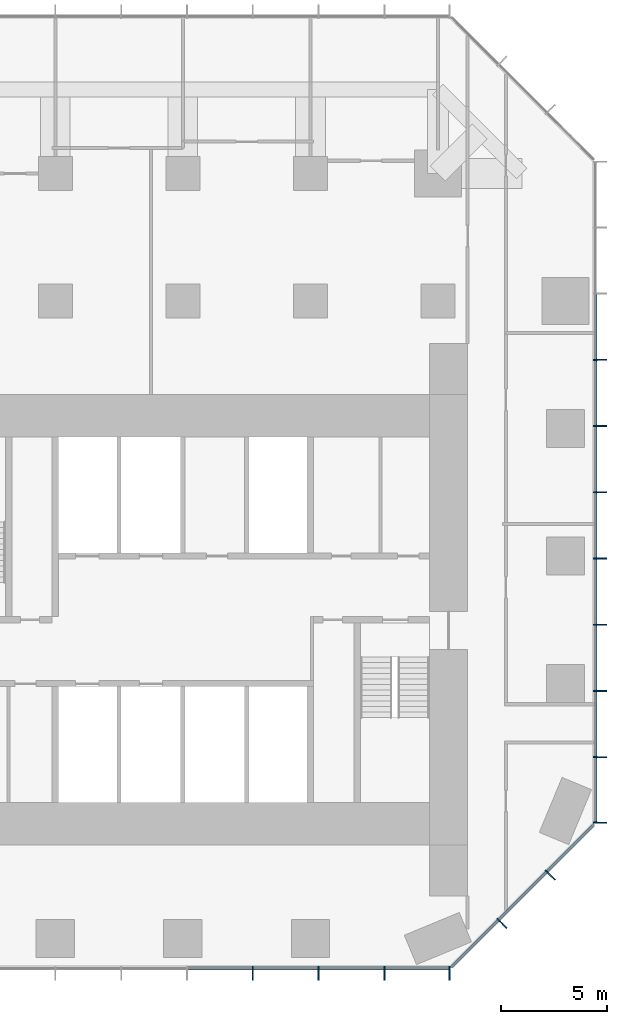
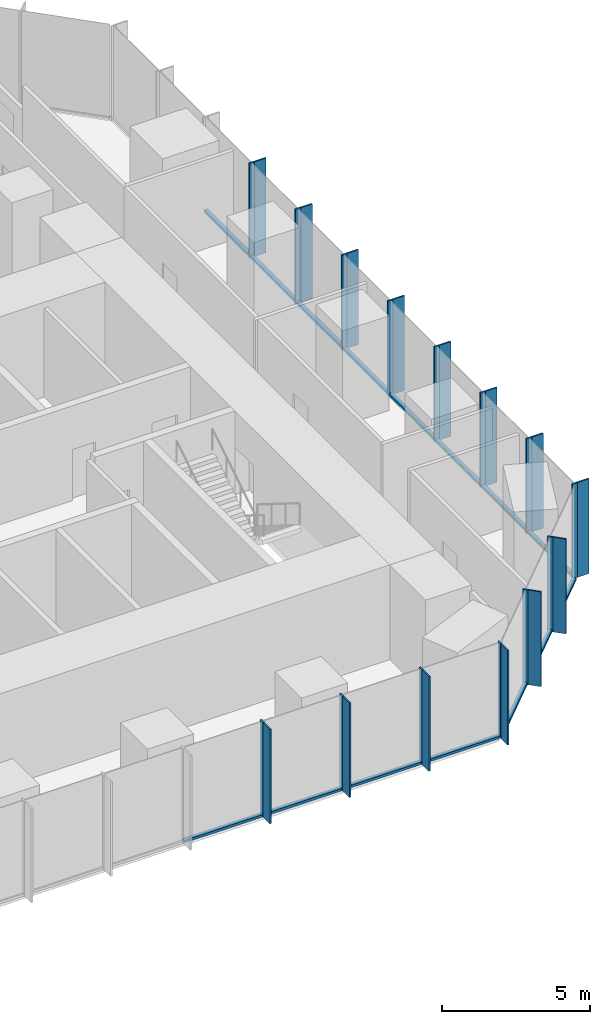
# One storey, part 4 of 12: 43 members, 3 elements without a shape of their own.
"""IFC4 building model written with IfcOpenShell, lengths in metres."""

from ifc_helpers import new_model, si_unit, direction, frame, origin, origin_2d, place, context, subcontext, project, spatial, rectangle, extrude, material, layer, layer_set, material_profile, profile_set, type_object, element, aggregate, save


model = new_model("IFC4")

# Units and contexts
model_context = context("Model", 3, precision=1e-05, world=origin(), true_north=direction((0.0, 1.0)))
body_context = subcontext(model_context, "Body", "Model", "MODEL_VIEW")
ifc_project = project(units=[si_unit("LENGTHUNIT", "METRE"), si_unit("AREAUNIT", "SQUARE_METRE"), si_unit("VOLUMEUNIT", "CUBIC_METRE"), si_unit("PLANEANGLEUNIT", "RADIAN"), si_unit("MASSUNIT", "GRAM", prefix="KILO")], contexts=[model_context])

# Site, building, storey
site_placement = place(None, origin())
site = spatial("IfcSite", under=ifc_project, at=site_placement, CompositionType="ELEMENT")
building_placement = place(site_placement, origin())
building = spatial("IfcBuilding", under=site, at=building_placement, Name="Highveld Stack Headquarters", CompositionType="ELEMENT")
storey_placement = place(building_placement, frame((0.0, 0.0, 101.60009765625)))
storey = spatial("IfcBuildingStorey", under=building, at=storey_placement, Name="L24", CompositionType="ELEMENT", Elevation=101.60009765625)

# Curtain wall, members
ifc_material_1 = material(Name="Aluminium bronze anodised", Category="aluminium")
ifc_layer_1 = layer(ifc_material_1, 0.199951171875)
ifc_layer_set_1 = layer_set([ifc_layer_1], Name="Aluminium bronze anodised")
curtain_wall_type_1 = type_object("IfcCurtainWallType", Name="CW1 TOWER UNITISED CURTAIN WALL", PredefinedType="NOTDEFINED", material=ifc_layer_set_1)
curtain_wall_1_placement = place(storey_placement, origin())
curtain_wall_1 = element("IfcCurtainWall", 1, at=curtain_wall_1_placement, inside=storey, type_object=curtain_wall_type_1, Name="Curtain wall CW1 L24 S", PredefinedType="NOTDEFINED")
ifc_material_2 = material(Name="Aluminium bronze anodised", Category="aluminium")
ifc_material_profile_1 = material_profile(ifc_material_2, rectangle(XDim=0.449951171875, YDim=0.06005859375, at=origin_2d()), Name="FIN 450x60")
ifc_profile_set_1 = profile_set([ifc_material_profile_1], Name="Aluminium bronze anodised")
member_type_1 = type_object("IfcMemberType", Name="CW1 BRONZE FIN 450x60", PredefinedType="USERDEFINED", material=ifc_profile_set_1)
member_1_placement = place(storey_placement, frame((9.2900390625, -13.72509765625, 0.0), z_axis=(0.0, 0.0, 1.0), x_axis=(0.0, 1.0, 0.0)))
member_1 = element("IfcMember", 2, at=member_1_placement, type_object=member_type_1, Name="CW1 fin L24 10", ObjectType="FIN", PredefinedType="USERDEFINED", context=body_context, shape_type="SweptSolid", body=[
    extrude(rectangle(XDim=0.449951171875, YDim=0.06005859375, at=origin_2d()), origin(), (0.0, 0.0, 1.0), 3.89990234375),
])
member_2_placement = place(storey_placement, frame((12.38671875, -13.72509765625, 0.0), z_axis=(0.0, 0.0, 1.0), x_axis=(0.0, 1.0, 0.0)))
member_2 = element("IfcMember", 3, at=member_2_placement, type_object=member_type_1, Name="CW1 fin L24 11", ObjectType="FIN", PredefinedType="USERDEFINED", context=body_context, shape_type="SweptSolid", body=[
    extrude(rectangle(XDim=0.449951171875, YDim=0.06005859375, at=origin_2d()), origin(), (0.0, 0.0, 1.0), 3.89990234375),
])
member_3_placement = place(storey_placement, frame((15.4833984375, -13.72509765625, 0.0), z_axis=(0.0, 0.0, 1.0), x_axis=(0.0, 1.0, 0.0)))
member_3 = element("IfcMember", 4, at=member_3_placement, type_object=member_type_1, Name="CW1 fin L24 12", ObjectType="FIN", PredefinedType="USERDEFINED", context=body_context, shape_type="SweptSolid", body=[
    extrude(rectangle(XDim=0.449951171875, YDim=0.06005859375, at=origin_2d()), origin(), (0.0, 0.0, 1.0), 3.89990234375),
])
member_4_placement = place(storey_placement, frame((18.54736328125, -13.72509765625, 0.0), z_axis=(0.0, 0.0, 1.0), x_axis=(0.0, 1.0, 0.0)))
member_4 = element("IfcMember", 5, at=member_4_placement, type_object=member_type_1, Name="CW1 fin L24 13", ObjectType="FIN", PredefinedType="USERDEFINED", context=body_context, shape_type="SweptSolid", body=[
    extrude(rectangle(XDim=0.449951171875, YDim=0.06005859375, at=origin_2d()), origin(), (0.0, 0.0, 1.0), 3.89990234375),
])

curtain_wall_2_placement = place(storey_placement, origin())
curtain_wall_2 = element("IfcCurtainWall", 6, at=curtain_wall_2_placement, inside=storey, type_object=curtain_wall_type_1, Name="Curtain wall CW1 L24 E", PredefinedType="NOTDEFINED")
member_5_placement = place(storey_placement, frame((25.72509765625, -6.54736328125, 0.0), z_axis=(0.0, 0.0, 1.0), x_axis=(-1.0, 0.0, 0.0)))
member_5 = element("IfcMember", 7, at=member_5_placement, type_object=member_type_1, Name="CW1 fin L24 1", ObjectType="FIN", PredefinedType="USERDEFINED", context=body_context, shape_type="SweptSolid", body=[
    extrude(rectangle(XDim=0.449951171875, YDim=0.06005859375, at=origin_2d()), origin(), (0.0, 0.0, 1.0), 3.89990234375),
])
member_6_placement = place(storey_placement, frame((25.72509765625, -3.4638671875, 0.0), z_axis=(0.0, 0.0, 1.0), x_axis=(-1.0, 0.0, 0.0)))
member_6 = element("IfcMember", 8, at=member_6_placement, type_object=member_type_1, Name="CW1 fin L24 2", ObjectType="FIN", PredefinedType="USERDEFINED", context=body_context, shape_type="SweptSolid", body=[
    extrude(rectangle(XDim=0.449951171875, YDim=0.06005859375, at=origin_2d()), origin(), (0.0, 0.0, 1.0), 3.89990234375),
])
member_7_placement = place(storey_placement, frame((25.72509765625, -0.347900390625, 0.0), z_axis=(0.0, 0.0, 1.0), x_axis=(-1.0, 0.0, 0.0)))
member_7 = element("IfcMember", 9, at=member_7_placement, type_object=member_type_1, Name="CW1 fin L24 3", ObjectType="FIN", PredefinedType="USERDEFINED", context=body_context, shape_type="SweptSolid", body=[
    extrude(rectangle(XDim=0.449951171875, YDim=0.06005859375, at=origin_2d()), origin(), (0.0, 0.0, 1.0), 3.89990234375),
])
member_8_placement = place(storey_placement, frame((25.72509765625, 2.76806640625, 0.0), z_axis=(0.0, 0.0, 1.0), x_axis=(-1.0, 0.0, 0.0)))
member_8 = element("IfcMember", 10, at=member_8_placement, type_object=member_type_1, Name="CW1 fin L24 4", ObjectType="FIN", PredefinedType="USERDEFINED", context=body_context, shape_type="SweptSolid", body=[
    extrude(rectangle(XDim=0.449951171875, YDim=0.06005859375, at=origin_2d()), origin(), (0.0, 0.0, 1.0), 3.89990234375),
])
member_9_placement = place(storey_placement, frame((25.72509765625, 5.884033203125, 0.0), z_axis=(0.0, 0.0, 1.0), x_axis=(-1.0, 0.0, 0.0)))
member_9 = element("IfcMember", 11, at=member_9_placement, type_object=member_type_1, Name="CW1 fin L24 5", ObjectType="FIN", PredefinedType="USERDEFINED", context=body_context, shape_type="SweptSolid", body=[
    extrude(rectangle(XDim=0.449951171875, YDim=0.06005859375, at=origin_2d()), origin(), (0.0, 0.0, 1.0), 3.89990234375),
])
member_10_placement = place(storey_placement, frame((25.72509765625, 9.0, 0.0), z_axis=(0.0, 0.0, 1.0), x_axis=(-1.0, 0.0, 0.0)))
member_10 = element("IfcMember", 12, at=member_10_placement, type_object=member_type_1, Name="CW1 fin L24 6", ObjectType="FIN", PredefinedType="USERDEFINED", context=body_context, shape_type="SweptSolid", body=[
    extrude(rectangle(XDim=0.449951171875, YDim=0.06005859375, at=origin_2d()), origin(), (0.0, 0.0, 1.0), 3.89990234375),
])
member_11_placement = place(storey_placement, frame((25.72509765625, 12.115966796875, 0.0), z_axis=(0.0, 0.0, 1.0), x_axis=(-1.0, 0.0, 0.0)))
member_11 = element("IfcMember", 13, at=member_11_placement, type_object=member_type_1, Name="CW1 fin L24 7", ObjectType="FIN", PredefinedType="USERDEFINED", context=body_context, shape_type="SweptSolid", body=[
    extrude(rectangle(XDim=0.449951171875, YDim=0.06005859375, at=origin_2d()), origin(), (0.0, 0.0, 1.0), 3.89990234375),
])
member_12_placement = place(storey_placement, frame((25.72509765625, 15.23193359375, 0.0), z_axis=(0.0, 0.0, 1.0), x_axis=(-1.0, 0.0, 0.0)))
member_12 = element("IfcMember", 14, at=member_12_placement, type_object=member_type_1, Name="CW1 fin L24 8", ObjectType="FIN", PredefinedType="USERDEFINED", context=body_context, shape_type="SweptSolid", body=[
    extrude(rectangle(XDim=0.449951171875, YDim=0.06005859375, at=origin_2d()), origin(), (0.0, 0.0, 1.0), 3.89990234375),
])

# Member
ifc_material_3 = material(Name="Aluminium bronze anodised", Category="aluminium")
ifc_material_profile_2 = material_profile(ifc_material_3, rectangle(XDim=0.199951171875, YDim=0.06494140625, at=origin_2d()), Name="CW1 MULLION 65x200")
ifc_profile_set_2 = profile_set([ifc_material_profile_2], Name="Aluminium bronze anodised")
member_type_2 = type_object("IfcMemberType", Name="CW1 MULLION 65x200", PredefinedType="MULLION", material=ifc_profile_set_2)
member_13_placement = place(storey_placement, frame((9.2900390625, -13.39990234375, 0.0), z_axis=(0.0, 0.0, 1.0), x_axis=(0.0, 1.0, 0.0)))
member_13 = element("IfcMember", 15, at=member_13_placement, type_object=member_type_2, Name="CW1 mullion L24 10", PredefinedType="MULLION", context=body_context, shape_type="SweptSolid", body=[
    extrude(rectangle(XDim=0.199951171875, YDim=0.06494140625, at=origin_2d()), origin(), (0.0, 0.0, 1.0), 3.89990234375),
])

member_14_placement = place(storey_placement, frame((12.38671875, -13.39990234375, 0.0), z_axis=(0.0, 0.0, 1.0), x_axis=(0.0, 1.0, 0.0)))
member_14 = element("IfcMember", 16, at=member_14_placement, type_object=member_type_2, Name="CW1 mullion L24 11", PredefinedType="MULLION", context=body_context, shape_type="SweptSolid", body=[
    extrude(rectangle(XDim=0.199951171875, YDim=0.06494140625, at=origin_2d()), origin(), (0.0, 0.0, 1.0), 3.89990234375),
])

member_15_placement = place(storey_placement, frame((15.4833984375, -13.39990234375, 0.0), z_axis=(0.0, 0.0, 1.0), x_axis=(0.0, 1.0, 0.0)))
member_15 = element("IfcMember", 17, at=member_15_placement, type_object=member_type_2, Name="CW1 mullion L24 12", PredefinedType="MULLION", context=body_context, shape_type="SweptSolid", body=[
    extrude(rectangle(XDim=0.199951171875, YDim=0.06494140625, at=origin_2d()), origin(), (0.0, 0.0, 1.0), 3.89990234375),
])

member_16_placement = place(storey_placement, frame((18.54736328125, -13.39990234375, 0.0), z_axis=(0.0, 0.0, 1.0), x_axis=(0.0, 1.0, 0.0)))
member_16 = element("IfcMember", 18, at=member_16_placement, type_object=member_type_2, Name="CW1 mullion L24 13", PredefinedType="MULLION", context=body_context, shape_type="SweptSolid", body=[
    extrude(rectangle(XDim=0.199951171875, YDim=0.06494140625, at=origin_2d()), origin(), (0.0, 0.0, 1.0), 3.89990234375),
])

member_17_placement = place(storey_placement, frame((25.39990234375, -6.54736328125, 0.0), z_axis=(0.0, 0.0, 1.0), x_axis=(-1.0, 0.0, 0.0)))
member_17 = element("IfcMember", 19, at=member_17_placement, type_object=member_type_2, Name="CW1 mullion L24 1", PredefinedType="MULLION", context=body_context, shape_type="SweptSolid", body=[
    extrude(rectangle(XDim=0.199951171875, YDim=0.06494140625, at=origin_2d()), origin(), (0.0, 0.0, 1.0), 3.89990234375),
])

member_18_placement = place(storey_placement, frame((25.39990234375, -3.4638671875, 0.0), z_axis=(0.0, 0.0, 1.0), x_axis=(-1.0, 0.0, 0.0)))
member_18 = element("IfcMember", 20, at=member_18_placement, type_object=member_type_2, Name="CW1 mullion L24 2", PredefinedType="MULLION", context=body_context, shape_type="SweptSolid", body=[
    extrude(rectangle(XDim=0.199951171875, YDim=0.06494140625, at=origin_2d()), origin(), (0.0, 0.0, 1.0), 3.89990234375),
])

member_19_placement = place(storey_placement, frame((25.39990234375, -0.347900390625, 0.0), z_axis=(0.0, 0.0, 1.0), x_axis=(-1.0, 0.0, 0.0)))
member_19 = element("IfcMember", 21, at=member_19_placement, type_object=member_type_2, Name="CW1 mullion L24 3", PredefinedType="MULLION", context=body_context, shape_type="SweptSolid", body=[
    extrude(rectangle(XDim=0.199951171875, YDim=0.06494140625, at=origin_2d()), origin(), (0.0, 0.0, 1.0), 3.89990234375),
])

member_20_placement = place(storey_placement, frame((25.39990234375, 2.76806640625, 0.0), z_axis=(0.0, 0.0, 1.0), x_axis=(-1.0, 0.0, 0.0)))
member_20 = element("IfcMember", 22, at=member_20_placement, type_object=member_type_2, Name="CW1 mullion L24 4", PredefinedType="MULLION", context=body_context, shape_type="SweptSolid", body=[
    extrude(rectangle(XDim=0.199951171875, YDim=0.06494140625, at=origin_2d()), origin(), (0.0, 0.0, 1.0), 3.89990234375),
])

member_21_placement = place(storey_placement, frame((25.39990234375, 5.884033203125, 0.0), z_axis=(0.0, 0.0, 1.0), x_axis=(-1.0, 0.0, 0.0)))
member_21 = element("IfcMember", 23, at=member_21_placement, type_object=member_type_2, Name="CW1 mullion L24 5", PredefinedType="MULLION", context=body_context, shape_type="SweptSolid", body=[
    extrude(rectangle(XDim=0.199951171875, YDim=0.06494140625, at=origin_2d()), origin(), (0.0, 0.0, 1.0), 3.89990234375),
])

member_22_placement = place(storey_placement, frame((25.39990234375, 9.0, 0.0), z_axis=(0.0, 0.0, 1.0), x_axis=(-1.0, 0.0, 0.0)))
member_22 = element("IfcMember", 24, at=member_22_placement, type_object=member_type_2, Name="CW1 mullion L24 6", PredefinedType="MULLION", context=body_context, shape_type="SweptSolid", body=[
    extrude(rectangle(XDim=0.199951171875, YDim=0.06494140625, at=origin_2d()), origin(), (0.0, 0.0, 1.0), 3.89990234375),
])

member_23_placement = place(storey_placement, frame((25.39990234375, 12.115966796875, 0.0), z_axis=(0.0, 0.0, 1.0), x_axis=(-1.0, 0.0, 0.0)))
member_23 = element("IfcMember", 25, at=member_23_placement, type_object=member_type_2, Name="CW1 mullion L24 7", PredefinedType="MULLION", context=body_context, shape_type="SweptSolid", body=[
    extrude(rectangle(XDim=0.199951171875, YDim=0.06494140625, at=origin_2d()), origin(), (0.0, 0.0, 1.0), 3.89990234375),
])

member_24_placement = place(storey_placement, frame((25.39990234375, 15.23193359375, 0.0), z_axis=(0.0, 0.0, 1.0), x_axis=(-1.0, 0.0, 0.0)))
member_24 = element("IfcMember", 26, at=member_24_placement, type_object=member_type_2, Name="CW1 mullion L24 8", PredefinedType="MULLION", context=body_context, shape_type="SweptSolid", body=[
    extrude(rectangle(XDim=0.199951171875, YDim=0.06494140625, at=origin_2d()), origin(), (0.0, 0.0, 1.0), 3.89990234375),
])

ifc_material_4 = material(Name="Aluminium bronze anodised", Category="aluminium")
ifc_material_profile_3 = material_profile(ifc_material_4, rectangle(XDim=0.14990234375, YDim=0.10009765625, at=origin_2d()), Name="CW1 TRANSOM 150x100")
ifc_profile_set_3 = profile_set([ifc_material_profile_3], Name="Aluminium bronze anodised")
member_type_3 = type_object("IfcMemberType", Name="CW1 STACK TRANSOM 150x100", PredefinedType="USERDEFINED", material=ifc_profile_set_3)
member_25_placement = place(storey_placement, frame((6.225830078125, -13.39990234375, 0.0498046875), z_axis=(1.0, 0.0, 0.0), x_axis=(0.0, 1.0, 0.0)))
member_25 = element("IfcMember", 27, at=member_25_placement, type_object=member_type_3, Name="CW1 transom L24 9.1", ObjectType="TRANSOM", PredefinedType="USERDEFINED", context=body_context, shape_type="SweptSolid", body=[
    extrude(rectangle(XDim=0.14990234375, YDim=0.10009765625, at=origin_2d()), origin(), (0.0, 0.0, 1.0), 3.03173828125),
])

member_26_placement = place(storey_placement, frame((9.322509765625, -13.39990234375, 0.0498046875), z_axis=(1.0, 0.0, 0.0), x_axis=(0.0, 1.0, 0.0)))
member_26 = element("IfcMember", 28, at=member_26_placement, type_object=member_type_3, Name="CW1 transom L24 10.1", ObjectType="TRANSOM", PredefinedType="USERDEFINED", context=body_context, shape_type="SweptSolid", body=[
    extrude(rectangle(XDim=0.14990234375, YDim=0.10009765625, at=origin_2d()), origin(), (0.0, 0.0, 1.0), 3.031494140625),
])

member_27_placement = place(storey_placement, frame((12.419189453125, -13.39990234375, 0.0498046875), z_axis=(1.0, 0.0, 0.0), x_axis=(0.0, 1.0, 0.0)))
member_27 = element("IfcMember", 29, at=member_27_placement, type_object=member_type_3, Name="CW1 transom L24 11.1", ObjectType="TRANSOM", PredefinedType="USERDEFINED", context=body_context, shape_type="SweptSolid", body=[
    extrude(rectangle(XDim=0.14990234375, YDim=0.10009765625, at=origin_2d()), origin(), (0.0, 0.0, 1.0), 3.031494140625),
])

member_28_placement = place(storey_placement, frame((15.515869140625, -13.39990234375, 0.0498046875), z_axis=(1.0, 0.0, 0.0), x_axis=(0.0, 1.0, 0.0)))
member_28 = element("IfcMember", 30, at=member_28_placement, type_object=member_type_3, Name="CW1 transom L24 12.1", ObjectType="TRANSOM", PredefinedType="USERDEFINED", context=body_context, shape_type="SweptSolid", body=[
    extrude(rectangle(XDim=0.14990234375, YDim=0.10009765625, at=origin_2d()), origin(), (0.0, 0.0, 1.0), 2.9990234375),
])

aggregate(curtain_wall_1, [member_13, member_1, member_14, member_2, member_15, member_3, member_16, member_4, member_25, member_26, member_27, member_28])

member_29_placement = place(storey_placement, frame((25.39990234375, -6.514892578125, 0.0498046875), z_axis=(0.0, 1.0, 0.0), x_axis=(-1.0, 0.0, 0.0)))
member_29 = element("IfcMember", 31, at=member_29_placement, type_object=member_type_3, Name="CW1 transom L24 1.1", ObjectType="TRANSOM", PredefinedType="USERDEFINED", context=body_context, shape_type="SweptSolid", body=[
    extrude(rectangle(XDim=0.14990234375, YDim=0.10009765625, at=origin_2d()), origin(), (0.0, 0.0, 1.0), 3.0185546875),
])

member_30_placement = place(storey_placement, frame((25.39990234375, -3.431396484375, 0.0498046875), z_axis=(0.0, 1.0, 0.0), x_axis=(-1.0, 0.0, 0.0)))
member_30 = element("IfcMember", 32, at=member_30_placement, type_object=member_type_3, Name="CW1 transom L24 2.1", ObjectType="TRANSOM", PredefinedType="USERDEFINED", context=body_context, shape_type="SweptSolid", body=[
    extrude(rectangle(XDim=0.14990234375, YDim=0.10009765625, at=origin_2d()), origin(), (0.0, 0.0, 1.0), 3.051025390625),
])

member_31_placement = place(storey_placement, frame((25.39990234375, -0.3154296875, 0.0498046875), z_axis=(0.0, 1.0, 0.0), x_axis=(-1.0, 0.0, 0.0)))
member_31 = element("IfcMember", 33, at=member_31_placement, type_object=member_type_3, Name="CW1 transom L24 3.1", ObjectType="TRANSOM", PredefinedType="USERDEFINED", context=body_context, shape_type="SweptSolid", body=[
    extrude(rectangle(XDim=0.14990234375, YDim=0.10009765625, at=origin_2d()), origin(), (0.0, 0.0, 1.0), 3.051025390625),
])

member_32_placement = place(storey_placement, frame((25.39990234375, 2.800537109375, 0.0498046875), z_axis=(0.0, 1.0, 0.0), x_axis=(-1.0, 0.0, 0.0)))
member_32 = element("IfcMember", 34, at=member_32_placement, type_object=member_type_3, Name="CW1 transom L24 4.1", ObjectType="TRANSOM", PredefinedType="USERDEFINED", context=body_context, shape_type="SweptSolid", body=[
    extrude(rectangle(XDim=0.14990234375, YDim=0.10009765625, at=origin_2d()), origin(), (0.0, 0.0, 1.0), 3.051025390625),
])

member_33_placement = place(storey_placement, frame((25.39990234375, 5.91650390625, 0.0498046875), z_axis=(0.0, 1.0, 0.0), x_axis=(-1.0, 0.0, 0.0)))
member_33 = element("IfcMember", 35, at=member_33_placement, type_object=member_type_3, Name="CW1 transom L24 5.1", ObjectType="TRANSOM", PredefinedType="USERDEFINED", context=body_context, shape_type="SweptSolid", body=[
    extrude(rectangle(XDim=0.14990234375, YDim=0.10009765625, at=origin_2d()), origin(), (0.0, 0.0, 1.0), 3.051025390625),
])

member_34_placement = place(storey_placement, frame((25.39990234375, 9.032470703125, 0.0498046875), z_axis=(0.0, 1.0, 0.0), x_axis=(-1.0, 0.0, 0.0)))
member_34 = element("IfcMember", 36, at=member_34_placement, type_object=member_type_3, Name="CW1 transom L24 6.1", ObjectType="TRANSOM", PredefinedType="USERDEFINED", context=body_context, shape_type="SweptSolid", body=[
    extrude(rectangle(XDim=0.14990234375, YDim=0.10009765625, at=origin_2d()), origin(), (0.0, 0.0, 1.0), 3.051025390625),
])

member_35_placement = place(storey_placement, frame((25.39990234375, 12.1484375, 0.0498046875), z_axis=(0.0, 1.0, 0.0), x_axis=(-1.0, 0.0, 0.0)))
member_35 = element("IfcMember", 37, at=member_35_placement, type_object=member_type_3, Name="CW1 transom L24 7.1", ObjectType="TRANSOM", PredefinedType="USERDEFINED", context=body_context, shape_type="SweptSolid", body=[
    extrude(rectangle(XDim=0.14990234375, YDim=0.10009765625, at=origin_2d()), origin(), (0.0, 0.0, 1.0), 3.051025390625),
])

member_36_placement = place(storey_placement, frame((25.39990234375, 15.264404296875, 0.0498046875), z_axis=(0.0, 1.0, 0.0), x_axis=(-1.0, 0.0, 0.0)))
member_36 = element("IfcMember", 38, at=member_36_placement, type_object=member_type_3, Name="CW1 transom L24 8.1", ObjectType="TRANSOM", PredefinedType="USERDEFINED", context=body_context, shape_type="SweptSolid", body=[
    extrude(rectangle(XDim=0.14990234375, YDim=0.10009765625, at=origin_2d()), origin(), (0.0, 0.0, 1.0), 3.051025390625),
])

aggregate(curtain_wall_2, [member_17, member_5, member_18, member_6, member_19, member_7, member_20, member_8, member_21, member_9, member_22, member_10, member_23, member_11, member_24, member_12, member_29, member_30, member_31, member_32, member_33, member_34, member_35, member_36])

# Curtain wall, members
ifc_material_5 = material(Name="Aluminium bronze anodised", Category="aluminium")
ifc_layer_2 = layer(ifc_material_5, 0.199951171875)
ifc_layer_set_2 = layer_set([ifc_layer_2], Name="Aluminium bronze anodised")
curtain_wall_type_2 = type_object("IfcCurtainWallType", Name="CW2 TOWER CHAMFER UNITISED CURTAIN WALL", PredefinedType="NOTDEFINED", material=ifc_layer_set_2)
curtain_wall_3_placement = place(storey_placement, origin())
curtain_wall_3 = element("IfcCurtainWall", 39, at=curtain_wall_3_placement, inside=storey, type_object=curtain_wall_type_2, Name="Curtain wall CW2 L24 SE", PredefinedType="NOTDEFINED")
ifc_material_6 = material(Name="Aluminium bronze anodised", Category="aluminium")
ifc_material_profile_4 = material_profile(ifc_material_6, rectangle(XDim=0.449951171875, YDim=0.06005859375, at=origin_2d()), Name="FIN 450x60")
ifc_profile_set_4 = profile_set([ifc_material_profile_4], Name="Aluminium bronze anodised")
member_type_4 = type_object("IfcMemberType", Name="CW2 BRONZE FIN 450x60", PredefinedType="USERDEFINED", material=ifc_profile_set_4)
member_37_placement = place(storey_placement, frame((21.0830078125, -11.3564453125, 0.0), z_axis=(0.0, 0.0, 1.0), x_axis=(-0.707106781187, 0.707106781187, 0.0)))
member_37 = element("IfcMember", 40, at=member_37_placement, type_object=member_type_4, Name="CW2 fin L24 1", ObjectType="FIN", PredefinedType="USERDEFINED", context=body_context, shape_type="SweptSolid", body=[
    extrude(rectangle(XDim=0.449951171875, YDim=0.06005859375, at=origin_2d()), origin(), (0.0, 0.0, 1.0), 3.89990234375),
])
member_38_placement = place(storey_placement, frame((23.3564453125, -9.0830078125, 0.0), z_axis=(0.0, 0.0, 1.0), x_axis=(-0.707106781187, 0.707106781187, 0.0)))
member_38 = element("IfcMember", 41, at=member_38_placement, type_object=member_type_4, Name="CW2 fin L24 2", ObjectType="FIN", PredefinedType="USERDEFINED", context=body_context, shape_type="SweptSolid", body=[
    extrude(rectangle(XDim=0.449951171875, YDim=0.06005859375, at=origin_2d()), origin(), (0.0, 0.0, 1.0), 3.89990234375),
])
ifc_material_7 = material(Name="Aluminium bronze anodised", Category="aluminium")
ifc_material_profile_5 = material_profile(ifc_material_7, rectangle(XDim=0.199951171875, YDim=0.06494140625, at=origin_2d()), Name="CW2 MULLION 65x200")
ifc_profile_set_5 = profile_set([ifc_material_profile_5], Name="Aluminium bronze anodised")
member_type_5 = type_object("IfcMemberType", Name="CW2 MULLION 65x200", PredefinedType="MULLION", material=ifc_profile_set_5)
member_39_placement = place(storey_placement, frame((20.853271484375, -11.126708984375, 0.0), z_axis=(0.0, 0.0, 1.0), x_axis=(-0.707106781187, 0.707106781187, 0.0)))
member_39 = element("IfcMember", 42, at=member_39_placement, type_object=member_type_5, Name="CW2 mullion L24 1", PredefinedType="MULLION", context=body_context, shape_type="SweptSolid", body=[
    extrude(rectangle(XDim=0.199951171875, YDim=0.06494140625, at=origin_2d()), origin(), (0.0, 0.0, 1.0), 3.89990234375),
])
member_40_placement = place(storey_placement, frame((23.126708984375, -8.853271484375, 0.0), z_axis=(0.0, 0.0, 1.0), x_axis=(-0.707106781187, 0.707106781187, 0.0)))
member_40 = element("IfcMember", 43, at=member_40_placement, type_object=member_type_5, Name="CW2 mullion L24 2", PredefinedType="MULLION", context=body_context, shape_type="SweptSolid", body=[
    extrude(rectangle(XDim=0.199951171875, YDim=0.06494140625, at=origin_2d()), origin(), (0.0, 0.0, 1.0), 3.89990234375),
])
ifc_material_8 = material(Name="Aluminium bronze anodised", Category="aluminium")
ifc_material_profile_6 = material_profile(ifc_material_8, rectangle(XDim=0.14990234375, YDim=0.10009765625, at=origin_2d()), Name="CW2 TRANSOM 150x100")
ifc_profile_set_6 = profile_set([ifc_material_profile_6], Name="Aluminium bronze anodised")
member_type_6 = type_object("IfcMemberType", Name="CW2 STACK TRANSOM 150x100", PredefinedType="USERDEFINED", material=ifc_profile_set_6)
member_41_placement = place(storey_placement, frame((18.650634765625, -13.329345703125, 0.0498046875), z_axis=(0.707106781187, 0.707106781187, 0.0), x_axis=(-0.707106781187, 0.707106781187, 0.0)))
member_41 = element("IfcMember", 44, at=member_41_placement, type_object=member_type_6, Name="CW2 transom L24 1.1", ObjectType="TRANSOM", PredefinedType="USERDEFINED", context=body_context, shape_type="SweptSolid", body=[
    extrude(rectangle(XDim=0.14990234375, YDim=0.10009765625, at=origin_2d()), origin(), (0.0, 0.0, 1.0), 3.08251953125),
])
member_42_placement = place(storey_placement, frame((20.876220703125, -11.103759765625, 0.0498046875), z_axis=(0.707106781187, 0.707106781187, 0.0), x_axis=(-0.707106781187, 0.707106781187, 0.0)))
member_42 = element("IfcMember", 45, at=member_42_placement, type_object=member_type_6, Name="CW2 transom L24 2.1", ObjectType="TRANSOM", PredefinedType="USERDEFINED", context=body_context, shape_type="SweptSolid", body=[
    extrude(rectangle(XDim=0.14990234375, YDim=0.10009765625, at=origin_2d()), origin(), (0.0, 0.0, 1.0), 3.150146484375),
])
member_43_placement = place(storey_placement, frame((23.149658203125, -8.830322265625, 0.0498046875), z_axis=(0.707106781187, 0.707106781187, 0.0), x_axis=(-0.707106781187, 0.707106781187, 0.0)))
member_43 = element("IfcMember", 46, at=member_43_placement, type_object=member_type_6, Name="CW2 transom L24 3.1", ObjectType="TRANSOM", PredefinedType="USERDEFINED", context=body_context, shape_type="SweptSolid", body=[
    extrude(rectangle(XDim=0.14990234375, YDim=0.10009765625, at=origin_2d()), origin(), (0.0, 0.0, 1.0), 3.08251953125),
])
aggregate(curtain_wall_3, [member_39, member_37, member_40, member_38, member_41, member_42, member_43])

save(model, "model.ifc")
